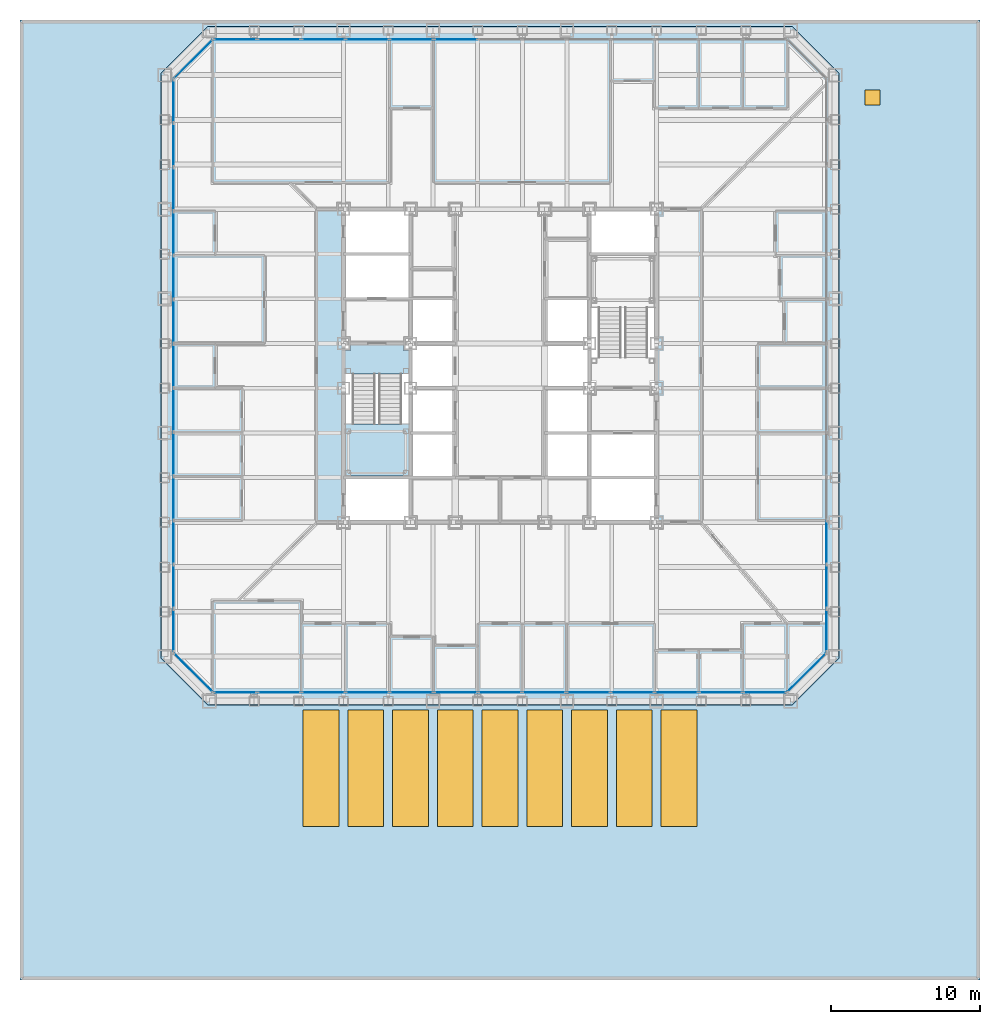
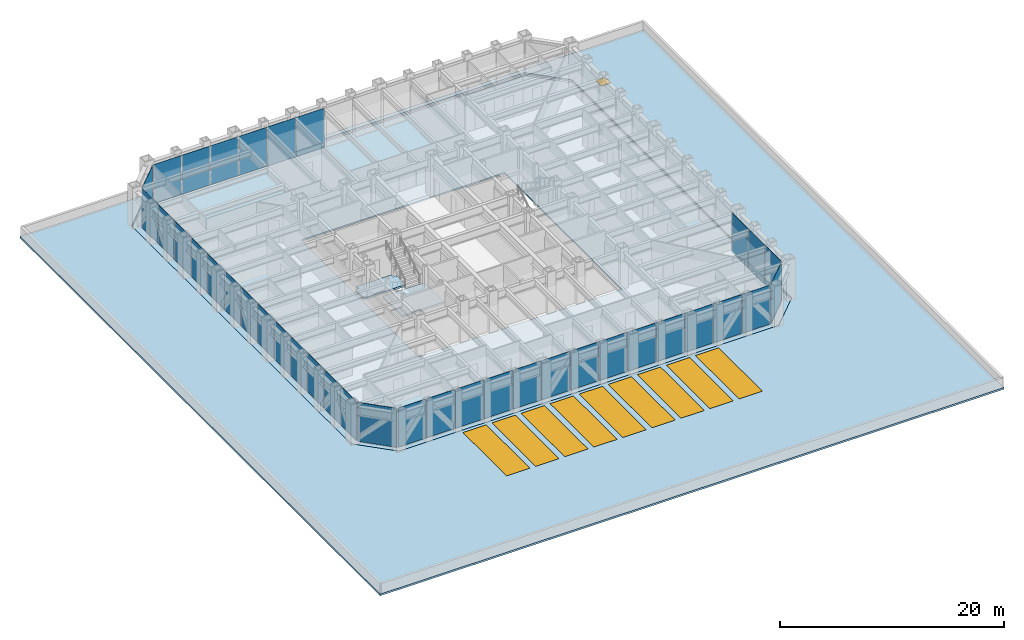
# One storey, part 7 of 18: 38 plates, 9 windows, 4 slabs, 1 door, 10 openings, 8 elements without a shape of their own.
"""IFC4 building model written with IfcOpenShell, lengths in metres."""

from ifc_helpers import new_model, si_unit, direction, frame, origin, origin_2d, place, context, subcontext, project, spatial, polyline, rectangle, outline, extrude, material, layer, layer_set, type_object, element, fill, aggregate, save


model = new_model("IFC4")

# Units and contexts
model_context = context("Model", 3, precision=1e-05, world=origin(), true_north=direction((0.0, 1.0)))
body_context = subcontext(model_context, "Body", "Model", "MODEL_VIEW")
ifc_project = project(units=[si_unit("LENGTHUNIT", "METRE"), si_unit("AREAUNIT", "SQUARE_METRE"), si_unit("VOLUMEUNIT", "CUBIC_METRE"), si_unit("PLANEANGLEUNIT", "RADIAN"), si_unit("MASSUNIT", "GRAM", prefix="KILO")], contexts=[model_context])

# Site, building, storey
site_placement = place(None, origin())
site = spatial("IfcSite", under=ifc_project, at=site_placement, CompositionType="ELEMENT")
building_placement = place(site_placement, origin())
building = spatial("IfcBuilding", under=site, at=building_placement, Name="Chuquiago Exchange Tower", CompositionType="ELEMENT")
storey_placement = place(building_placement, frame((0.0, 0.0, 24.300048828125)))
storey = spatial("IfcBuildingStorey", under=building, at=storey_placement, Name="L04", CompositionType="ELEMENT", Elevation=24.300048828125)

# Curtain wall, plates
ifc_material_1 = material(Name="Aluminium curtain wall system", Category="aluminium")
ifc_layer_1 = layer(ifc_material_1, 0.25)
ifc_layer_set_1 = layer_set([ifc_layer_1], Name="CW1 trading floor curtain wall")
curtain_wall_type_1 = type_object("IfcCurtainWallType", Name="CW1 trading floor curtain wall", PredefinedType="NOTDEFINED", material=ifc_layer_set_1)
curtain_wall_1_placement = place(storey_placement, origin())
curtain_wall_1 = element("IfcCurtainWall", 1, at=curtain_wall_1_placement, inside=storey, type_object=curtain_wall_type_1, Name="CW1 curtain wall L04", PredefinedType="NOTDEFINED")
ifc_material_2 = material(Name="Glass, insulating unit", Category="glass")
ifc_layer_2 = layer(ifc_material_2, 0.031982421875)
ifc_layer_set_2 = layer_set([ifc_layer_2], Name="CW1-P panel 32")
plate_type_1 = type_object("IfcPlateType", Name="CW1-P panel 32", PredefinedType="CURTAIN_PANEL", material=ifc_layer_set_2)
plate_1_placement = place(storey_placement, frame((10.65283203125, 0.60009765625, -0.22509765625), z_axis=(0.0, 0.0, 1.0), x_axis=(1.0, 0.0, 0.0)))
plate_1 = element("IfcPlate", 2, at=plate_1_placement, type_object=plate_type_1, Name="CW1 panel 3.1", PredefinedType="CURTAIN_PANEL", context=body_context, shape_type="SweptSolid", body=[
    extrude(rectangle(XDim=2.88671875, YDim=0.031982421875, at=origin_2d()), origin(), (0.0, 0.0, 1.0), 4.264892578125),
])
plate_2_placement = place(storey_placement, frame((13.61474609375, 0.60009765625, -0.22509765625), z_axis=(0.0, 0.0, 1.0), x_axis=(1.0, 0.0, 0.0)))
plate_2 = element("IfcPlate", 3, at=plate_2_placement, type_object=plate_type_1, Name="CW1 panel 4.1", PredefinedType="CURTAIN_PANEL", context=body_context, shape_type="SweptSolid", body=[
    extrude(rectangle(XDim=2.88671875, YDim=0.031982421875, at=origin_2d()), origin(), (0.0, 0.0, 1.0), 4.264892578125),
])
plate_3_placement = place(storey_placement, frame((16.576416015625, 0.60009765625, -0.22509765625), z_axis=(0.0, 0.0, 1.0), x_axis=(1.0, 0.0, 0.0)))
plate_3 = element("IfcPlate", 4, at=plate_3_placement, type_object=plate_type_1, Name="CW1 panel 5.1", PredefinedType="CURTAIN_PANEL", context=body_context, shape_type="SweptSolid", body=[
    extrude(rectangle(XDim=2.88671875, YDim=0.031982421875, at=origin_2d()), origin(), (0.0, 0.0, 1.0), 4.264892578125),
])
plate_4_placement = place(storey_placement, frame((25.461669921875, 0.60009765625, -0.22509765625), z_axis=(0.0, 0.0, 1.0), x_axis=(1.0, 0.0, 0.0)))
plate_4 = element("IfcPlate", 5, at=plate_4_placement, type_object=plate_type_1, Name="CW1 panel 8.1", PredefinedType="CURTAIN_PANEL", context=body_context, shape_type="SweptSolid", body=[
    extrude(rectangle(XDim=2.88671875, YDim=0.031982421875, at=origin_2d()), origin(), (0.0, 0.0, 1.0), 4.264892578125),
])
plate_5_placement = place(storey_placement, frame((28.423583984375, 0.60009765625, -0.22509765625), z_axis=(0.0, 0.0, 1.0), x_axis=(1.0, 0.0, 0.0)))
plate_5 = element("IfcPlate", 6, at=plate_5_placement, type_object=plate_type_1, Name="CW1 panel 9.1", PredefinedType="CURTAIN_PANEL", context=body_context, shape_type="SweptSolid", body=[
    extrude(rectangle(XDim=2.88671875, YDim=0.031982421875, at=origin_2d()), origin(), (0.0, 0.0, 1.0), 4.264892578125),
])
plate_6_placement = place(storey_placement, frame((31.38525390625, 0.60009765625, -0.22509765625), z_axis=(0.0, 0.0, 1.0), x_axis=(1.0, 0.0, 0.0)))
plate_6 = element("IfcPlate", 7, at=plate_6_placement, type_object=plate_type_1, Name="CW1 panel 10.1", PredefinedType="CURTAIN_PANEL", context=body_context, shape_type="SweptSolid", body=[
    extrude(rectangle(XDim=2.88671875, YDim=0.031982421875, at=origin_2d()), origin(), (0.0, 0.0, 1.0), 4.264892578125),
])
plate_7_placement = place(storey_placement, frame((34.34716796875, 0.60009765625, -0.22509765625), z_axis=(0.0, 0.0, 1.0), x_axis=(1.0, 0.0, 0.0)))
plate_7 = element("IfcPlate", 8, at=plate_7_placement, type_object=plate_type_1, Name="CW1 panel 11.1", PredefinedType="CURTAIN_PANEL", context=body_context, shape_type="SweptSolid", body=[
    extrude(rectangle(XDim=2.88671875, YDim=0.031982421875, at=origin_2d()), origin(), (0.0, 0.0, 1.0), 4.264892578125),
])

# Curtain wall, plate
curtain_wall_2_placement = place(storey_placement, origin())
curtain_wall_2 = element("IfcCurtainWall", 9, at=curtain_wall_2_placement, inside=storey, type_object=curtain_wall_type_1, Name="CW1 curtain wall L04", PredefinedType="NOTDEFINED")
plate_8_placement = place(storey_placement, frame((44.39990234375, 10.65283203125, -0.22509765625), z_axis=(0.0, 0.0, 1.0), x_axis=(0.0, 1.0, 0.0)))
plate_8 = element("IfcPlate", 10, at=plate_8_placement, type_object=plate_type_1, Name="CW1 panel 3.1", PredefinedType="CURTAIN_PANEL", context=body_context, shape_type="SweptSolid", body=[
    extrude(rectangle(XDim=2.88671875, YDim=0.031982421875, at=origin_2d()), origin(), (0.0, 0.0, 1.0), 4.264892578125),
])

# Curtain wall, plates
curtain_wall_3_placement = place(storey_placement, origin())
curtain_wall_3 = element("IfcCurtainWall", 11, at=curtain_wall_3_placement, inside=storey, type_object=curtain_wall_type_1, Name="CW1 curtain wall L04", PredefinedType="NOTDEFINED")
plate_9_placement = place(storey_placement, frame((19.538330078125, 44.39990234375, -0.22509765625), z_axis=(0.0, 0.0, 1.0), x_axis=(-1.0, 0.0, 0.0)))
plate_9 = element("IfcPlate", 12, at=plate_9_placement, type_object=plate_type_1, Name="CW1 panel 8.1", PredefinedType="CURTAIN_PANEL", context=body_context, shape_type="SweptSolid", body=[
    extrude(rectangle(XDim=2.88671875, YDim=0.031982421875, at=origin_2d()), origin(), (0.0, 0.0, 1.0), 4.264892578125),
])
plate_10_placement = place(storey_placement, frame((16.576416015625, 44.39990234375, -0.22509765625), z_axis=(0.0, 0.0, 1.0), x_axis=(-1.0, 0.0, 0.0)))
plate_10 = element("IfcPlate", 13, at=plate_10_placement, type_object=plate_type_1, Name="CW1 panel 9.1", PredefinedType="CURTAIN_PANEL", context=body_context, shape_type="SweptSolid", body=[
    extrude(rectangle(XDim=2.88671875, YDim=0.031982421875, at=origin_2d()), origin(), (0.0, 0.0, 1.0), 4.264892578125),
])
plate_11_placement = place(storey_placement, frame((13.61474609375, 44.39990234375, -0.22509765625), z_axis=(0.0, 0.0, 1.0), x_axis=(-1.0, 0.0, 0.0)))
plate_11 = element("IfcPlate", 14, at=plate_11_placement, type_object=plate_type_1, Name="CW1 panel 10.1", PredefinedType="CURTAIN_PANEL", context=body_context, shape_type="SweptSolid", body=[
    extrude(rectangle(XDim=2.88671875, YDim=0.031982421875, at=origin_2d()), origin(), (0.0, 0.0, 1.0), 4.264892578125),
])
plate_12_placement = place(storey_placement, frame((10.65283203125, 44.39990234375, -0.22509765625), z_axis=(0.0, 0.0, 1.0), x_axis=(-1.0, 0.0, 0.0)))
plate_12 = element("IfcPlate", 15, at=plate_12_placement, type_object=plate_type_1, Name="CW1 panel 11.1", PredefinedType="CURTAIN_PANEL", context=body_context, shape_type="SweptSolid", body=[
    extrude(rectangle(XDim=2.88671875, YDim=0.031982421875, at=origin_2d()), origin(), (0.0, 0.0, 1.0), 4.264892578125),
])

curtain_wall_4_placement = place(storey_placement, origin())
curtain_wall_4 = element("IfcCurtainWall", 16, at=curtain_wall_4_placement, inside=storey, type_object=curtain_wall_type_1, Name="CW1 curtain wall L04", PredefinedType="NOTDEFINED")
plate_13_placement = place(storey_placement, frame((0.60009765625, 34.34716796875, -0.22509765625), z_axis=(0.0, 0.0, 1.0), x_axis=(0.0, -1.0, 0.0)))
plate_13 = element("IfcPlate", 17, at=plate_13_placement, type_object=plate_type_1, Name="CW1 panel 3.1", PredefinedType="CURTAIN_PANEL", context=body_context, shape_type="SweptSolid", body=[
    extrude(rectangle(XDim=2.88671875, YDim=0.031982421875, at=origin_2d()), origin(), (0.0, 0.0, 1.0), 4.264892578125),
])
plate_14_placement = place(storey_placement, frame((0.60009765625, 31.38525390625, -0.22509765625), z_axis=(0.0, 0.0, 1.0), x_axis=(0.0, -1.0, 0.0)))
plate_14 = element("IfcPlate", 18, at=plate_14_placement, type_object=plate_type_1, Name="CW1 panel 4.1", PredefinedType="CURTAIN_PANEL", context=body_context, shape_type="SweptSolid", body=[
    extrude(rectangle(XDim=2.88671875, YDim=0.031982421875, at=origin_2d()), origin(), (0.0, 0.0, 1.0), 4.264892578125),
])
plate_15_placement = place(storey_placement, frame((0.60009765625, 28.423583984375, -0.22509765625), z_axis=(0.0, 0.0, 1.0), x_axis=(0.0, -1.0, 0.0)))
plate_15 = element("IfcPlate", 19, at=plate_15_placement, type_object=plate_type_1, Name="CW1 panel 5.1", PredefinedType="CURTAIN_PANEL", context=body_context, shape_type="SweptSolid", body=[
    extrude(rectangle(XDim=2.88671875, YDim=0.031982421875, at=origin_2d()), origin(), (0.0, 0.0, 1.0), 4.264892578125),
])
plate_16_placement = place(storey_placement, frame((0.60009765625, 19.538330078125, -0.22509765625), z_axis=(0.0, 0.0, 1.0), x_axis=(0.0, -1.0, 0.0)))
plate_16 = element("IfcPlate", 20, at=plate_16_placement, type_object=plate_type_1, Name="CW1 panel 8.1", PredefinedType="CURTAIN_PANEL", context=body_context, shape_type="SweptSolid", body=[
    extrude(rectangle(XDim=2.88671875, YDim=0.031982421875, at=origin_2d()), origin(), (0.0, 0.0, 1.0), 4.264892578125),
])
plate_17_placement = place(storey_placement, frame((0.60009765625, 16.576416015625, -0.22509765625), z_axis=(0.0, 0.0, 1.0), x_axis=(0.0, -1.0, 0.0)))
plate_17 = element("IfcPlate", 21, at=plate_17_placement, type_object=plate_type_1, Name="CW1 panel 9.1", PredefinedType="CURTAIN_PANEL", context=body_context, shape_type="SweptSolid", body=[
    extrude(rectangle(XDim=2.88671875, YDim=0.031982421875, at=origin_2d()), origin(), (0.0, 0.0, 1.0), 4.264892578125),
])
plate_18_placement = place(storey_placement, frame((0.60009765625, 13.61474609375, -0.22509765625), z_axis=(0.0, 0.0, 1.0), x_axis=(0.0, -1.0, 0.0)))
plate_18 = element("IfcPlate", 22, at=plate_18_placement, type_object=plate_type_1, Name="CW1 panel 10.1", PredefinedType="CURTAIN_PANEL", context=body_context, shape_type="SweptSolid", body=[
    extrude(rectangle(XDim=2.88671875, YDim=0.031982421875, at=origin_2d()), origin(), (0.0, 0.0, 1.0), 4.264892578125),
])
plate_19_placement = place(storey_placement, frame((0.60009765625, 10.65283203125, -0.22509765625), z_axis=(0.0, 0.0, 1.0), x_axis=(0.0, -1.0, 0.0)))
plate_19 = element("IfcPlate", 23, at=plate_19_placement, type_object=plate_type_1, Name="CW1 panel 11.1", PredefinedType="CURTAIN_PANEL", context=body_context, shape_type="SweptSolid", body=[
    extrude(rectangle(XDim=2.88671875, YDim=0.031982421875, at=origin_2d()), origin(), (0.0, 0.0, 1.0), 4.264892578125),
])

# Plate
ifc_material_3 = material(Name="Insulated spandrel panel, pale anodised aluminium", Category="aluminium")
ifc_layer_3 = layer(ifc_material_3, 0.031982421875)
ifc_layer_set_3 = layer_set([ifc_layer_3], Name="CW1-P spandrel panel 32")
plate_type_2 = type_object("IfcPlateType", Name="CW1-P spandrel panel 32", PredefinedType="CURTAIN_PANEL", material=ifc_layer_set_3)
plate_20_placement = place(storey_placement, frame((4.748046875, 0.60009765625, -0.22509765625), z_axis=(0.0, 0.0, 1.0), x_axis=(1.0, 0.0, 0.0)))
plate_20 = element("IfcPlate", 24, at=plate_20_placement, type_object=plate_type_2, Name="CW1 panel 1.1", PredefinedType="CURTAIN_PANEL", context=body_context, shape_type="SweptSolid", body=[
    extrude(rectangle(XDim=2.849365234375, YDim=0.031982421875, at=origin_2d()), origin(), (0.0, 0.0, 1.0), 4.264892578125),
])

plate_21_placement = place(storey_placement, frame((7.691162109375, 0.60009765625, -0.22509765625), z_axis=(0.0, 0.0, 1.0), x_axis=(1.0, 0.0, 0.0)))
plate_21 = element("IfcPlate", 25, at=plate_21_placement, type_object=plate_type_2, Name="CW1 panel 2.1", PredefinedType="CURTAIN_PANEL", context=body_context, shape_type="SweptSolid", body=[
    extrude(rectangle(XDim=2.88671875, YDim=0.031982421875, at=origin_2d()), origin(), (0.0, 0.0, 1.0), 4.264892578125),
])

plate_22_placement = place(storey_placement, frame((19.538330078125, 0.60009765625, -0.22509765625), z_axis=(0.0, 0.0, 1.0), x_axis=(1.0, 0.0, 0.0)))
plate_22 = element("IfcPlate", 26, at=plate_22_placement, type_object=plate_type_2, Name="CW1 panel 6.1", PredefinedType="CURTAIN_PANEL", context=body_context, shape_type="SweptSolid", body=[
    extrude(rectangle(XDim=2.88671875, YDim=0.031982421875, at=origin_2d()), origin(), (0.0, 0.0, 1.0), 4.264892578125),
])

plate_23_placement = place(storey_placement, frame((22.5, 0.60009765625, -0.22509765625), z_axis=(0.0, 0.0, 1.0), x_axis=(1.0, 0.0, 0.0)))
plate_23 = element("IfcPlate", 27, at=plate_23_placement, type_object=plate_type_2, Name="CW1 panel 7.1", PredefinedType="CURTAIN_PANEL", context=body_context, shape_type="SweptSolid", body=[
    extrude(rectangle(XDim=2.88671875, YDim=0.031982421875, at=origin_2d()), origin(), (0.0, 0.0, 1.0), 4.264892578125),
])

plate_24_placement = place(storey_placement, frame((37.308837890625, 0.60009765625, -0.22509765625), z_axis=(0.0, 0.0, 1.0), x_axis=(1.0, 0.0, 0.0)))
plate_24 = element("IfcPlate", 28, at=plate_24_placement, type_object=plate_type_2, Name="CW1 panel 12.1", PredefinedType="CURTAIN_PANEL", context=body_context, shape_type="SweptSolid", body=[
    extrude(rectangle(XDim=2.88671875, YDim=0.031982421875, at=origin_2d()), origin(), (0.0, 0.0, 1.0), 4.264892578125),
])

plate_25_placement = place(storey_placement, frame((40.251953125, 0.60009765625, -0.22509765625), z_axis=(0.0, 0.0, 1.0), x_axis=(1.0, 0.0, 0.0)))
plate_25 = element("IfcPlate", 29, at=plate_25_placement, type_object=plate_type_2, Name="CW1 panel 13.1", PredefinedType="CURTAIN_PANEL", context=body_context, shape_type="SweptSolid", body=[
    extrude(rectangle(XDim=2.849365234375, YDim=0.031982421875, at=origin_2d()), origin(), (0.0, 0.0, 1.0), 4.264892578125),
])

aggregate(curtain_wall_1, [plate_20, plate_21, plate_1, plate_2, plate_3, plate_22, plate_23, plate_4, plate_5, plate_6, plate_7, plate_24, plate_25])

plate_26_placement = place(storey_placement, frame((44.39990234375, 4.748046875, -0.22509765625), z_axis=(0.0, 0.0, 1.0), x_axis=(0.0, 1.0, 0.0)))
plate_26 = element("IfcPlate", 30, at=plate_26_placement, type_object=plate_type_2, Name="CW1 panel 1.1", PredefinedType="CURTAIN_PANEL", context=body_context, shape_type="SweptSolid", body=[
    extrude(rectangle(XDim=2.849365234375, YDim=0.031982421875, at=origin_2d()), origin(), (0.0, 0.0, 1.0), 4.264892578125),
])

plate_27_placement = place(storey_placement, frame((44.39990234375, 7.691162109375, -0.22509765625), z_axis=(0.0, 0.0, 1.0), x_axis=(0.0, 1.0, 0.0)))
plate_27 = element("IfcPlate", 31, at=plate_27_placement, type_object=plate_type_2, Name="CW1 panel 2.1", PredefinedType="CURTAIN_PANEL", context=body_context, shape_type="SweptSolid", body=[
    extrude(rectangle(XDim=2.88671875, YDim=0.031982421875, at=origin_2d()), origin(), (0.0, 0.0, 1.0), 4.264892578125),
])

aggregate(curtain_wall_2, [plate_26, plate_27, plate_8])

plate_28_placement = place(storey_placement, frame((7.691162109375, 44.39990234375, -0.22509765625), z_axis=(0.0, 0.0, 1.0), x_axis=(-1.0, 0.0, 0.0)))
plate_28 = element("IfcPlate", 32, at=plate_28_placement, type_object=plate_type_2, Name="CW1 panel 12.1", PredefinedType="CURTAIN_PANEL", context=body_context, shape_type="SweptSolid", body=[
    extrude(rectangle(XDim=2.88671875, YDim=0.031982421875, at=origin_2d()), origin(), (0.0, 0.0, 1.0), 4.264892578125),
])

plate_29_placement = place(storey_placement, frame((4.748046875, 44.39990234375, -0.22509765625), z_axis=(0.0, 0.0, 1.0), x_axis=(-1.0, 0.0, 0.0)))
plate_29 = element("IfcPlate", 33, at=plate_29_placement, type_object=plate_type_2, Name="CW1 panel 13.1", PredefinedType="CURTAIN_PANEL", context=body_context, shape_type="SweptSolid", body=[
    extrude(rectangle(XDim=2.849365234375, YDim=0.031982421875, at=origin_2d()), origin(), (0.0, 0.0, 1.0), 4.264892578125),
])

aggregate(curtain_wall_3, [plate_9, plate_10, plate_11, plate_12, plate_28, plate_29])

plate_30_placement = place(storey_placement, frame((0.60009765625, 40.251953125, -0.22509765625), z_axis=(0.0, 0.0, 1.0), x_axis=(0.0, -1.0, 0.0)))
plate_30 = element("IfcPlate", 34, at=plate_30_placement, type_object=plate_type_2, Name="CW1 panel 1.1", PredefinedType="CURTAIN_PANEL", context=body_context, shape_type="SweptSolid", body=[
    extrude(rectangle(XDim=2.849365234375, YDim=0.031982421875, at=origin_2d()), origin(), (0.0, 0.0, 1.0), 4.264892578125),
])

plate_31_placement = place(storey_placement, frame((0.60009765625, 37.308837890625, -0.22509765625), z_axis=(0.0, 0.0, 1.0), x_axis=(0.0, -1.0, 0.0)))
plate_31 = element("IfcPlate", 35, at=plate_31_placement, type_object=plate_type_2, Name="CW1 panel 2.1", PredefinedType="CURTAIN_PANEL", context=body_context, shape_type="SweptSolid", body=[
    extrude(rectangle(XDim=2.88671875, YDim=0.031982421875, at=origin_2d()), origin(), (0.0, 0.0, 1.0), 4.264892578125),
])

plate_32_placement = place(storey_placement, frame((0.60009765625, 25.461669921875, -0.22509765625), z_axis=(0.0, 0.0, 1.0), x_axis=(0.0, -1.0, 0.0)))
plate_32 = element("IfcPlate", 36, at=plate_32_placement, type_object=plate_type_2, Name="CW1 panel 6.1", PredefinedType="CURTAIN_PANEL", context=body_context, shape_type="SweptSolid", body=[
    extrude(rectangle(XDim=2.88671875, YDim=0.031982421875, at=origin_2d()), origin(), (0.0, 0.0, 1.0), 4.264892578125),
])

plate_33_placement = place(storey_placement, frame((0.60009765625, 22.5, -0.22509765625), z_axis=(0.0, 0.0, 1.0), x_axis=(0.0, -1.0, 0.0)))
plate_33 = element("IfcPlate", 37, at=plate_33_placement, type_object=plate_type_2, Name="CW1 panel 7.1", PredefinedType="CURTAIN_PANEL", context=body_context, shape_type="SweptSolid", body=[
    extrude(rectangle(XDim=2.88671875, YDim=0.031982421875, at=origin_2d()), origin(), (0.0, 0.0, 1.0), 4.264892578125),
])

plate_34_placement = place(storey_placement, frame((0.60009765625, 7.691162109375, -0.22509765625), z_axis=(0.0, 0.0, 1.0), x_axis=(0.0, -1.0, 0.0)))
plate_34 = element("IfcPlate", 38, at=plate_34_placement, type_object=plate_type_2, Name="CW1 panel 12.1", PredefinedType="CURTAIN_PANEL", context=body_context, shape_type="SweptSolid", body=[
    extrude(rectangle(XDim=2.88671875, YDim=0.031982421875, at=origin_2d()), origin(), (0.0, 0.0, 1.0), 4.264892578125),
])

plate_35_placement = place(storey_placement, frame((0.60009765625, 4.748046875, -0.22509765625), z_axis=(0.0, 0.0, 1.0), x_axis=(0.0, -1.0, 0.0)))
plate_35 = element("IfcPlate", 39, at=plate_35_placement, type_object=plate_type_2, Name="CW1 panel 13.1", PredefinedType="CURTAIN_PANEL", context=body_context, shape_type="SweptSolid", body=[
    extrude(rectangle(XDim=2.849365234375, YDim=0.031982421875, at=origin_2d()), origin(), (0.0, 0.0, 1.0), 4.264892578125),
])

aggregate(curtain_wall_4, [plate_30, plate_31, plate_13, plate_14, plate_15, plate_32, plate_33, plate_16, plate_17, plate_18, plate_19, plate_34, plate_35])

# Curtain wall, plate
ifc_material_4 = material(Name="Aluminium curtain wall system", Category="aluminium")
ifc_layer_4 = layer(ifc_material_4, 0.199951171875)
ifc_layer_set_4 = layer_set([ifc_layer_4], Name="CW3 facet curtain wall")
curtain_wall_type_2 = type_object("IfcCurtainWallType", Name="CW3 facet curtain wall", PredefinedType="NOTDEFINED", material=ifc_layer_set_4)
curtain_wall_5_placement = place(storey_placement, origin())
curtain_wall_5 = element("IfcCurtainWall", 40, at=curtain_wall_5_placement, inside=storey, type_object=curtain_wall_type_2, Name="CW3 curtain wall L04", PredefinedType="NOTDEFINED")
ifc_material_5 = material(Name="Insulated spandrel panel, pale anodised aluminium", Category="aluminium")
ifc_layer_5 = layer(ifc_material_5, 0.030029296875)
ifc_layer_set_5 = layer_set([ifc_layer_5], Name="CW3-P spandrel panel 30")
plate_type_3 = type_object("IfcPlateType", Name="CW3-P spandrel panel 30", PredefinedType="CURTAIN_PANEL", material=ifc_layer_set_5)
plate_36_placement = place(storey_placement, frame((43.07568359375, 1.92431640625, -0.235107421875), z_axis=(0.0, 0.0, 1.0), x_axis=(0.707106781187, 0.707106781187, 0.0)))
plate_36 = element("IfcPlate", 41, at=plate_36_placement, type_object=plate_type_3, Name="CW3 panel 1.1", PredefinedType="CURTAIN_PANEL", context=body_context, shape_type="SweptSolid", body=[
    extrude(rectangle(XDim=3.615478515625, YDim=0.030029296875, at=origin_2d()), origin(), (0.0, 0.0, 1.0), 4.27490234375),
])
aggregate(curtain_wall_5, [plate_36])

curtain_wall_6_placement = place(storey_placement, origin())
curtain_wall_6 = element("IfcCurtainWall", 42, at=curtain_wall_6_placement, inside=storey, type_object=curtain_wall_type_2, Name="CW3 curtain wall L04", PredefinedType="NOTDEFINED")
plate_37_placement = place(storey_placement, frame((1.92431640625, 43.07568359375, -0.235107421875), z_axis=(0.0, 0.0, 1.0), x_axis=(-0.707106781187, -0.707106781187, 0.0)))
plate_37 = element("IfcPlate", 43, at=plate_37_placement, type_object=plate_type_3, Name="CW3 panel 1.1", PredefinedType="CURTAIN_PANEL", context=body_context, shape_type="SweptSolid", body=[
    extrude(rectangle(XDim=3.615478515625, YDim=0.030029296875, at=origin_2d()), origin(), (0.0, 0.0, 1.0), 4.27490234375),
])
aggregate(curtain_wall_6, [plate_37])

curtain_wall_7_placement = place(storey_placement, origin())
curtain_wall_7 = element("IfcCurtainWall", 44, at=curtain_wall_7_placement, inside=storey, type_object=curtain_wall_type_2, Name="CW3 curtain wall L04", PredefinedType="NOTDEFINED")
plate_38_placement = place(storey_placement, frame((1.92431640625, 1.92431640625, -0.235107421875), z_axis=(0.0, 0.0, 1.0), x_axis=(0.707106781187, -0.707106781187, 0.0)))
plate_38 = element("IfcPlate", 45, at=plate_38_placement, type_object=plate_type_3, Name="CW3 panel 1.1", PredefinedType="CURTAIN_PANEL", context=body_context, shape_type="SweptSolid", body=[
    extrude(rectangle(XDim=3.615478515625, YDim=0.030029296875, at=origin_2d()), origin(), (0.0, 0.0, 1.0), 4.27490234375),
])
aggregate(curtain_wall_7, [plate_38])

# Slab
ifc_material_6 = material(Name="Concrete C30/37", Category="concrete")
ifc_layer_6 = layer(ifc_material_6, 0.159912109375)
ifc_layer_set_6 = layer_set([ifc_layer_6], Name="FS1 composite floor 160")
slab_type_1 = type_object("IfcSlabType", Name="FS1 composite floor 160", PredefinedType="FLOOR", material=ifc_layer_set_6)
slab_1_placement = place(storey_placement, frame((0.0, 0.0, -0.4599609375)))
element("IfcSlab", 46, at=slab_1_placement, inside=storey, type_object=slab_type_1, Name="L04 floor slab, lowered under the raised floor", PredefinedType="FLOOR", context=body_context, shape_type="SweptSolid", body=[
    extrude(outline(polyline([(-0.25, 2.896484375), (-0.25, 42.103515625), (2.896484375, 45.25), (42.103515625, 45.25), (45.25, 42.103515625), (45.25, 2.896484375), (42.103515625, -0.25), (2.896484375, -0.25), (-0.25, 2.896484375)]), holes=[polyline([(33.0, 33.0), (12.0, 33.0), (12.0, 12.0), (33.0, 12.0), (33.0, 33.0)])]), origin(), (0.0, 0.0, 1.0), 0.159912109375),
])

# Slab, openings, door, windows
ifc_material_7 = material(Name="Concrete C30/37", Category="concrete")
ifc_layer_7 = layer(ifc_material_7, 0.199951171875)
ifc_layer_set_7 = layer_set([ifc_layer_7], Name="RS1 roof slab 200")
slab_type_2 = type_object("IfcSlabType", Name="RS1 roof slab 200", PredefinedType="ROOF", material=ifc_layer_set_7)
slab_2_placement = place(storey_placement, frame((0.0, 0.0, -0.199951171875)))
slab_2 = element("IfcSlab", 47, at=slab_2_placement, inside=storey, type_object=slab_type_2, Name="Podium roof, maintenance access only", PredefinedType="ROOF", context=body_context, shape_type="SweptSolid", body=[
    extrude(outline(polyline([(-9.699951171875, -18.699951171875), (-9.699951171875, 45.699951171875), (54.699951171875, 45.699951171875), (54.699951171875, -18.699951171875), (-9.699951171875, -18.699951171875)]), holes=[polyline([(42.103515625, -0.25), (45.25, 2.896484375), (45.25, 42.103515625), (42.103515625, 45.25), (2.896484375, 45.25), (-0.25, 42.103515625), (-0.25, 2.896484375), (2.896484375, -0.25), (42.103515625, -0.25)])]), origin(), (0.0, 0.0, 1.0), 0.199951171875),
])
opening_1_placement = place(slab_2_placement, frame((10.5, -4.5, 0.0)))
opening_1 = element("IfcOpeningElement", 48, at=opening_1_placement, cuts=slab_2, Name="Opening SK1", PredefinedType="OPENING", context=body_context, shape_type="SweptSolid", body=[
    extrude(rectangle(XDim=2.39990234375, YDim=7.800048828125, at=origin_2d()), origin(), (0.0, 0.0, 1.0), 0.199951171875),
])
opening_2_placement = place(slab_2_placement, frame((13.5, -4.5, 0.0)))
opening_2 = element("IfcOpeningElement", 49, at=opening_2_placement, cuts=slab_2, Name="Opening SK1", PredefinedType="OPENING", context=body_context, shape_type="SweptSolid", body=[
    extrude(rectangle(XDim=2.39990234375, YDim=7.800048828125, at=origin_2d()), origin(), (0.0, 0.0, 1.0), 0.199951171875),
])
opening_3_placement = place(slab_2_placement, frame((16.5, -4.5, 0.0)))
opening_3 = element("IfcOpeningElement", 50, at=opening_3_placement, cuts=slab_2, Name="Opening SK1", PredefinedType="OPENING", context=body_context, shape_type="SweptSolid", body=[
    extrude(rectangle(XDim=2.39990234375, YDim=7.800048828125, at=origin_2d()), origin(), (0.0, 0.0, 1.0), 0.199951171875),
])
opening_4_placement = place(slab_2_placement, frame((19.5, -4.5, 0.0)))
opening_4 = element("IfcOpeningElement", 51, at=opening_4_placement, cuts=slab_2, Name="Opening SK1", PredefinedType="OPENING", context=body_context, shape_type="SweptSolid", body=[
    extrude(rectangle(XDim=2.39990234375, YDim=7.800048828125, at=origin_2d()), origin(), (0.0, 0.0, 1.0), 0.199951171875),
])
opening_5_placement = place(slab_2_placement, frame((22.5, -4.5, 0.0)))
opening_5 = element("IfcOpeningElement", 52, at=opening_5_placement, cuts=slab_2, Name="Opening SK1", PredefinedType="OPENING", context=body_context, shape_type="SweptSolid", body=[
    extrude(rectangle(XDim=2.39990234375, YDim=7.800048828125, at=origin_2d()), origin(), (0.0, 0.0, 1.0), 0.199951171875),
])
opening_6_placement = place(slab_2_placement, frame((25.5, -4.5, 0.0)))
opening_6 = element("IfcOpeningElement", 53, at=opening_6_placement, cuts=slab_2, Name="Opening SK1", PredefinedType="OPENING", context=body_context, shape_type="SweptSolid", body=[
    extrude(rectangle(XDim=2.39990234375, YDim=7.800048828125, at=origin_2d()), origin(), (0.0, 0.0, 1.0), 0.199951171875),
])
opening_7_placement = place(slab_2_placement, frame((28.5, -4.5, 0.0)))
opening_7 = element("IfcOpeningElement", 54, at=opening_7_placement, cuts=slab_2, Name="Opening SK1", PredefinedType="OPENING", context=body_context, shape_type="SweptSolid", body=[
    extrude(rectangle(XDim=2.39990234375, YDim=7.800048828125, at=origin_2d()), origin(), (0.0, 0.0, 1.0), 0.199951171875),
])
opening_8_placement = place(slab_2_placement, frame((31.5, -4.5, 0.0)))
opening_8 = element("IfcOpeningElement", 55, at=opening_8_placement, cuts=slab_2, Name="Opening SK1", PredefinedType="OPENING", context=body_context, shape_type="SweptSolid", body=[
    extrude(rectangle(XDim=2.39990234375, YDim=7.800048828125, at=origin_2d()), origin(), (0.0, 0.0, 1.0), 0.199951171875),
])
opening_9_placement = place(slab_2_placement, frame((34.5, -4.5, 0.0)))
opening_9 = element("IfcOpeningElement", 56, at=opening_9_placement, cuts=slab_2, Name="Opening SK1", PredefinedType="OPENING", context=body_context, shape_type="SweptSolid", body=[
    extrude(rectangle(XDim=2.39990234375, YDim=7.800048828125, at=origin_2d()), origin(), (0.0, 0.0, 1.0), 0.199951171875),
])
opening_10_placement = place(slab_2_placement, frame((47.5, 40.5, 0.0)))
opening_10 = element("IfcOpeningElement", 57, at=opening_10_placement, cuts=slab_2, Name="Opening RH1", PredefinedType="OPENING", context=body_context, shape_type="SweptSolid", body=[
    extrude(rectangle(XDim=1.0, YDim=1.0, at=origin_2d()), origin(), (0.0, 0.0, 1.0), 0.199951171875),
])
ifc_material_8 = material(Name="Aluminium hatch", Category="aluminium")
door_type = type_object("IfcDoorType", Name="RH1 roof hatch 1000x1000", OperationType="SINGLE_SWING_LEFT", PredefinedType="TRAPDOOR", material=ifc_material_8)
door_placement = place(opening_10_placement, frame((0.0, 0.0, 0.14990234375)))
door = element("IfcDoor", 58, at=door_placement, inside=storey, type_object=door_type, Name="Podium roof access hatch, maintenance only", OperationType="SINGLE_SWING_LEFT", OverallHeight=1.0, OverallWidth=1.0, PredefinedType="TRAPDOOR", context=body_context, shape_type="SweptSolid", body=[
    extrude(rectangle(XDim=1.0, YDim=1.0, at=origin_2d()), origin(), (0.0, 0.0, 1.0), 0.050048828125),
])
fill(opening_10, door)
ifc_material_9 = material(Name="Glass, heat-strengthened safety glass, pale metal frame", Category="glass")
window_type = type_object("IfcWindowType", Name="SK1 rooflight 2400x7800", PartitioningType="SINGLE_PANEL", PredefinedType="SKYLIGHT", material=ifc_material_9)
window_1_placement = place(opening_1_placement, frame((0.0, 0.0, 0.14990234375)))
window_1 = element("IfcWindow", 59, at=window_1_placement, inside=storey, type_object=window_type, Name="Atrium rooflight 1", OverallHeight=7.800048828125, OverallWidth=2.39990234375, PartitioningType="SINGLE_PANEL", PredefinedType="SKYLIGHT", context=body_context, shape_type="SweptSolid", body=[
    extrude(rectangle(XDim=2.39990234375, YDim=7.800048828125, at=origin_2d()), origin(), (0.0, 0.0, 1.0), 0.050048828125),
])
fill(opening_1, window_1)
window_2_placement = place(opening_2_placement, frame((0.0, 0.0, 0.14990234375)))
window_2 = element("IfcWindow", 60, at=window_2_placement, inside=storey, type_object=window_type, Name="Atrium rooflight 2", OverallHeight=7.800048828125, OverallWidth=2.39990234375, PartitioningType="SINGLE_PANEL", PredefinedType="SKYLIGHT", context=body_context, shape_type="SweptSolid", body=[
    extrude(rectangle(XDim=2.39990234375, YDim=7.800048828125, at=origin_2d()), origin(), (0.0, 0.0, 1.0), 0.050048828125),
])
fill(opening_2, window_2)
window_3_placement = place(opening_3_placement, frame((0.0, 0.0, 0.14990234375)))
window_3 = element("IfcWindow", 61, at=window_3_placement, inside=storey, type_object=window_type, Name="Atrium rooflight 3", OverallHeight=7.800048828125, OverallWidth=2.39990234375, PartitioningType="SINGLE_PANEL", PredefinedType="SKYLIGHT", context=body_context, shape_type="SweptSolid", body=[
    extrude(rectangle(XDim=2.39990234375, YDim=7.800048828125, at=origin_2d()), origin(), (0.0, 0.0, 1.0), 0.050048828125),
])
fill(opening_3, window_3)
window_4_placement = place(opening_4_placement, frame((0.0, 0.0, 0.14990234375)))
window_4 = element("IfcWindow", 62, at=window_4_placement, inside=storey, type_object=window_type, Name="Atrium rooflight 4", OverallHeight=7.800048828125, OverallWidth=2.39990234375, PartitioningType="SINGLE_PANEL", PredefinedType="SKYLIGHT", context=body_context, shape_type="SweptSolid", body=[
    extrude(rectangle(XDim=2.39990234375, YDim=7.800048828125, at=origin_2d()), origin(), (0.0, 0.0, 1.0), 0.050048828125),
])
fill(opening_4, window_4)
window_5_placement = place(opening_5_placement, frame((0.0, 0.0, 0.14990234375)))
window_5 = element("IfcWindow", 63, at=window_5_placement, inside=storey, type_object=window_type, Name="Atrium rooflight 5", OverallHeight=7.800048828125, OverallWidth=2.39990234375, PartitioningType="SINGLE_PANEL", PredefinedType="SKYLIGHT", context=body_context, shape_type="SweptSolid", body=[
    extrude(rectangle(XDim=2.39990234375, YDim=7.800048828125, at=origin_2d()), origin(), (0.0, 0.0, 1.0), 0.050048828125),
])
fill(opening_5, window_5)
window_6_placement = place(opening_6_placement, frame((0.0, 0.0, 0.14990234375)))
window_6 = element("IfcWindow", 64, at=window_6_placement, inside=storey, type_object=window_type, Name="Atrium rooflight 6", OverallHeight=7.800048828125, OverallWidth=2.39990234375, PartitioningType="SINGLE_PANEL", PredefinedType="SKYLIGHT", context=body_context, shape_type="SweptSolid", body=[
    extrude(rectangle(XDim=2.39990234375, YDim=7.800048828125, at=origin_2d()), origin(), (0.0, 0.0, 1.0), 0.050048828125),
])
fill(opening_6, window_6)
window_7_placement = place(opening_7_placement, frame((0.0, 0.0, 0.14990234375)))
window_7 = element("IfcWindow", 65, at=window_7_placement, inside=storey, type_object=window_type, Name="Atrium rooflight 7", OverallHeight=7.800048828125, OverallWidth=2.39990234375, PartitioningType="SINGLE_PANEL", PredefinedType="SKYLIGHT", context=body_context, shape_type="SweptSolid", body=[
    extrude(rectangle(XDim=2.39990234375, YDim=7.800048828125, at=origin_2d()), origin(), (0.0, 0.0, 1.0), 0.050048828125),
])
fill(opening_7, window_7)
window_8_placement = place(opening_8_placement, frame((0.0, 0.0, 0.14990234375)))
window_8 = element("IfcWindow", 66, at=window_8_placement, inside=storey, type_object=window_type, Name="Atrium rooflight 8", OverallHeight=7.800048828125, OverallWidth=2.39990234375, PartitioningType="SINGLE_PANEL", PredefinedType="SKYLIGHT", context=body_context, shape_type="SweptSolid", body=[
    extrude(rectangle(XDim=2.39990234375, YDim=7.800048828125, at=origin_2d()), origin(), (0.0, 0.0, 1.0), 0.050048828125),
])
fill(opening_8, window_8)
window_9_placement = place(opening_9_placement, frame((0.0, 0.0, 0.14990234375)))
window_9 = element("IfcWindow", 67, at=window_9_placement, inside=storey, type_object=window_type, Name="Atrium rooflight 9", OverallHeight=7.800048828125, OverallWidth=2.39990234375, PartitioningType="SINGLE_PANEL", PredefinedType="SKYLIGHT", context=body_context, shape_type="SweptSolid", body=[
    extrude(rectangle(XDim=2.39990234375, YDim=7.800048828125, at=origin_2d()), origin(), (0.0, 0.0, 1.0), 0.050048828125),
])
fill(opening_9, window_9)

# Stair, slabs
ifc_material_10 = material(Name="Concrete C30/37, precast", Category="concrete")
stair_type = type_object("IfcStairType", Name="ST1 half-turn stair 4500", PredefinedType="HALF_TURN_STAIR", material=ifc_material_10)
stair_placement = place(storey_placement, origin())
stair = element("IfcStair", 68, at=stair_placement, inside=storey, type_object=stair_type, Name="Stair ST1 L04", PredefinedType="HALF_TURN_STAIR")
ifc_material_11 = material(Name="Concrete C30/37, precast", Category="concrete")
ifc_layer_8 = layer(ifc_material_11, 0.199951171875)
ifc_layer_set_8 = layer_set([ifc_layer_8], Name="ST-L landing 200")
slab_type_3 = type_object("IfcSlabType", Name="ST-L landing 200", PredefinedType="LANDING", material=ifc_layer_set_8)
slab_3_placement = place(storey_placement, frame((0.0, 0.0, -0.199951171875)))
slab_3 = element("IfcSlab", 69, at=slab_3_placement, type_object=slab_type_3, Name="ST1 landing 1", PredefinedType="LANDING", context=body_context, shape_type="SweptSolid", body=[
    extrude(outline(polyline([(12.47509765625, 23.89990234375), (16.02490234375, 23.89990234375), (16.02490234375, 23.52490234375), (16.39990234375, 23.52490234375), (16.39990234375, 21.949951171875), (12.10009765625, 21.949951171875), (12.10009765625, 23.52490234375), (12.47509765625, 23.52490234375), (12.47509765625, 23.89990234375)])), origin(), (0.0, 0.0, 1.0), 0.199951171875),
])
slab_4_placement = place(storey_placement, frame((0.0, 0.0, 2.050048828125)))
slab_4 = element("IfcSlab", 70, at=slab_4_placement, type_object=slab_type_3, Name="ST1 landing 2", PredefinedType="LANDING", context=body_context, shape_type="SweptSolid", body=[
    extrude(outline(polyline([(12.10009765625, 18.590087890625), (16.39990234375, 18.590087890625), (16.39990234375, 15.10009765625), (12.10009765625, 15.10009765625), (12.10009765625, 18.590087890625)])), origin(), (0.0, 0.0, 1.0), 0.199951171875),
])
aggregate(stair, [slab_3, slab_4])

save(model, "model.ifc")
